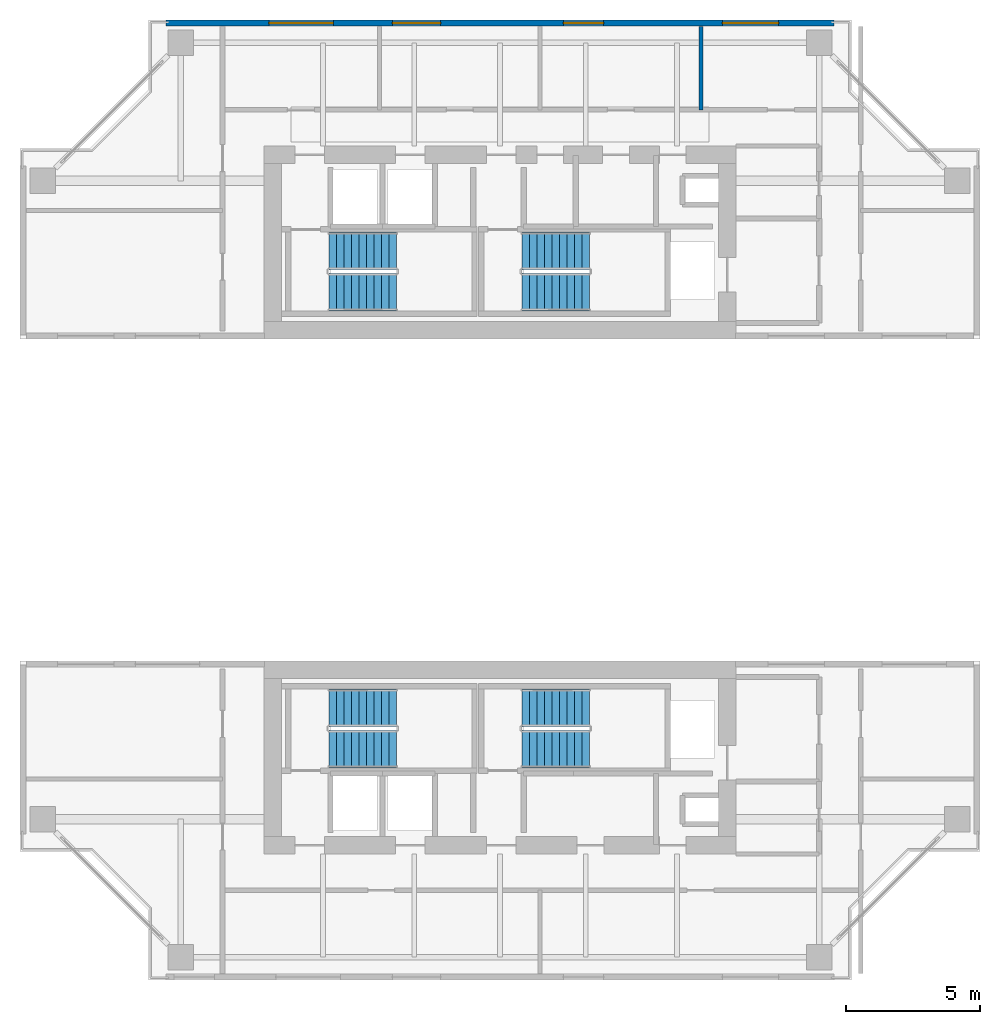
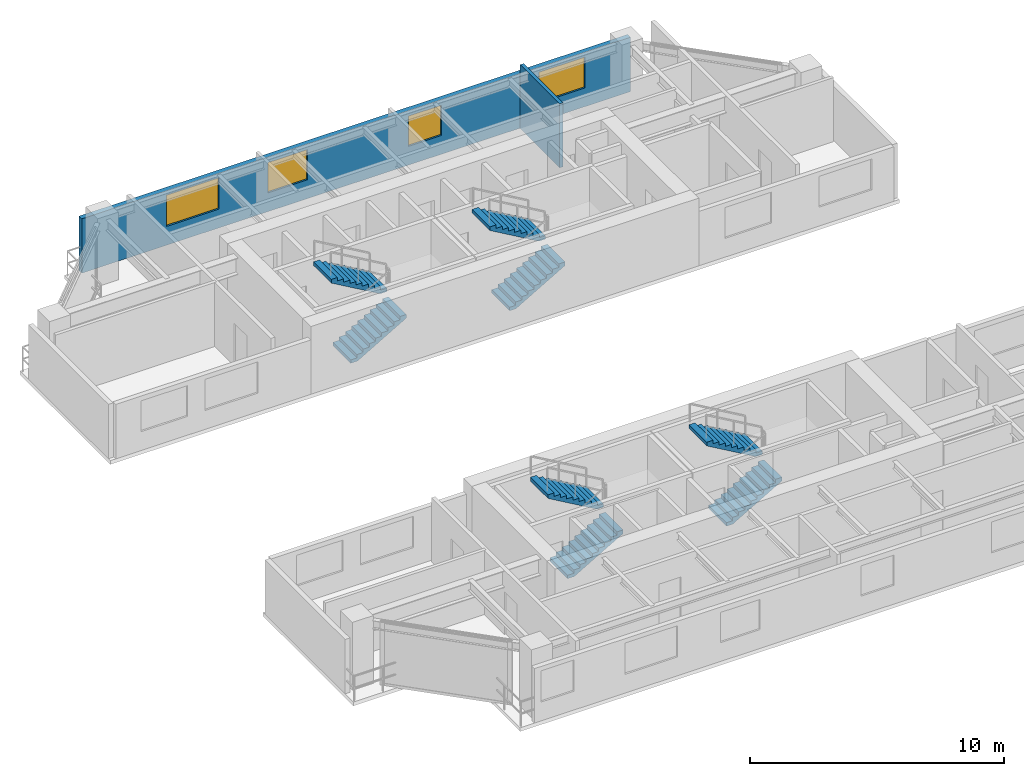
# One storey, part 10 of 12: 8 stair flights, 4 windows, 2 walls, 4 openings, 4 elements without a shape of their own.
"""IFC4 building model written with IfcOpenShell, lengths in metres."""

from ifc_helpers import new_model, si_unit, direction, frame, frame_2d, origin, place, context, subcontext, project, spatial, polyline, rectangle, outline, extrude, source, transform, mapped, material, layer, layer_set, type_object, element, fill, aggregate, save


model = new_model("IFC4")

# Units and contexts
model_context = context("Model", 3, precision=1e-05, world=origin(), true_north=direction((0.0, 1.0)))
body_context = subcontext(model_context, "Body", "Model", "MODEL_VIEW")
ifc_project = project(units=[si_unit("LENGTHUNIT", "METRE"), si_unit("AREAUNIT", "SQUARE_METRE"), si_unit("VOLUMEUNIT", "CUBIC_METRE"), si_unit("PLANEANGLEUNIT", "RADIAN"), si_unit("MASSUNIT", "GRAM", prefix="KILO"), si_unit("THERMODYNAMICTEMPERATUREUNIT", "KELVIN"), si_unit("POWERUNIT", "WATT")], contexts=[model_context])

# Site, building, storey
site_placement = place(None, origin())
site = spatial("IfcSite", under=ifc_project, at=site_placement, CompositionType="ELEMENT")
building_placement = place(site_placement, origin())
building = spatial("IfcBuilding", under=site, at=building_placement, Name="Qiaomeng Ring Towers", CompositionType="ELEMENT")
storey_placement = place(building_placement, frame((0.0, 0.0, 166.5)))
storey = spatial("IfcBuildingStorey", under=building, at=storey_placement, Name="L48", CompositionType="ELEMENT", Elevation=166.5)

# Wall, openings, windows
ifc_material_1 = material(Name="Precast concrete C40", Category="concrete")
ifc_layer_1 = layer(ifc_material_1, 0.219970703125, Name="Precast concrete C40")
ifc_layer_set_1 = layer_set([ifc_layer_1], Name="Precast concrete C40")
wall_type_1 = type_object("IfcWallType", Name="ARC-WL-EW2", PredefinedType="STANDARD", material=ifc_layer_set_1)
wall_1_placement = place(storey_placement, frame((6.550048828125, 40.7900390625, 0.0), z_axis=(0.0, 0.0, 1.0), x_axis=(1.0, 0.0, 0.0)))
wall_1 = element("IfcWall", 1, at=wall_1_placement, inside=storey, type_object=wall_type_1, Name="L48 Tower 1 N Exterior Wall", PredefinedType="STANDARD", context=body_context, shape_type="SweptSolid", body=[
    extrude(rectangle(XDim=24.89990234375, YDim=0.219970703125, at=frame_2d((12.449951171875, 0.0))), origin(), (0.0, 0.0, 1.0), 2.610107421875),
])
opening_1_placement = place(wall_1_placement, frame((3.83251953125, 0.0, 0.89990234375)))
opening_1 = element("IfcOpeningElement", 2, at=opening_1_placement, cuts=wall_1, Name="Opening WN6", PredefinedType="OPENING", context=body_context, shape_type="SweptSolid", body=[
    extrude(rectangle(XDim=2.39990234375, YDim=1.5, at=frame_2d((1.199951171875, 0.75))), frame((0.0, 0.119873046875, 0.0), z_axis=(0.0, -1.0, 0.0), x_axis=(1.0, 0.0, 0.0)), (0.0, 0.0, 1.0), 0.239990234375),
])
opening_2_placement = place(wall_1_placement, frame((8.43798828125, 0.0, 0.89990234375)))
opening_2 = element("IfcOpeningElement", 3, at=opening_2_placement, cuts=wall_1, Name="Opening WN1", PredefinedType="OPENING", context=body_context, shape_type="SweptSolid", body=[
    extrude(rectangle(XDim=1.800048828125, YDim=1.449951171875, at=frame_2d((0.89990234375, 0.72509765625))), frame((0.0, 0.119873046875, 0.0), z_axis=(0.0, -1.0, 0.0), x_axis=(1.0, 0.0, 0.0)), (0.0, 0.0, 1.0), 0.239990234375),
])
opening_3_placement = place(wall_1_placement, frame((14.81298828125, 0.0, 0.89990234375)))
opening_3 = element("IfcOpeningElement", 4, at=opening_3_placement, cuts=wall_1, Name="Opening WN2", PredefinedType="OPENING", context=body_context, shape_type="SweptSolid", body=[
    extrude(rectangle(XDim=1.5, YDim=1.449951171875, at=frame_2d((0.75, 0.72509765625))), frame((0.0, 0.119873046875, 0.0), z_axis=(0.0, -1.0, 0.0), x_axis=(1.0, 0.0, 0.0)), (0.0, 0.0, 1.0), 0.239990234375),
])
opening_4_placement = place(wall_1_placement, frame((20.738037109375, 0.0, 0.89990234375)))
opening_4 = element("IfcOpeningElement", 5, at=opening_4_placement, cuts=wall_1, Name="Opening WN4", PredefinedType="OPENING", context=body_context, shape_type="SweptSolid", body=[
    extrude(rectangle(XDim=2.10009765625, YDim=1.47998046875, at=frame_2d((1.050048828125, 0.739990234375))), frame((0.0, 0.119873046875, 0.0), z_axis=(0.0, -1.0, 0.0), x_axis=(1.0, 0.0, 0.0)), (0.0, 0.0, 1.0), 0.239990234375),
])
ifc_material_2 = material(Name="Low-E dark-grey laminated double glazing", Category="glass")
window_type_1 = type_object("IfcWindowType", Name="ARC-WN-2", PartitioningType="DOUBLE_PANEL_VERTICAL", PredefinedType="WINDOW", material=ifc_material_2)
shared_shape_1 = source(origin(), body_context, "Body", "SweptSolid", [
    extrude(rectangle(XDim=1.5, YDim=1.449951171875, at=frame_2d((0.75, 0.72509765625))), frame((0.0, 0.030029296875, 0.0), z_axis=(0.0, -1.0, 0.0), x_axis=(1.0, 0.0, 0.0)), (0.0, 0.0, 1.0), 0.06005859375),
])
window_1_placement = place(opening_3_placement, origin())
window_1 = element("IfcWindow", 6, at=window_1_placement, inside=storey, type_object=window_type_1, Name="L48 Exterior Window WN2", OverallHeight=1.449951171875, OverallWidth=1.5, PartitioningType="DOUBLE_PANEL_VERTICAL", PredefinedType="WINDOW", context=body_context, shape_type="MappedRepresentation", body=[
    mapped(shared_shape_1, transform((0.0, 0.0, 0.0), x_axis=(1.0, 0.0, 0.0), y_axis=(0.0, 1.0, 0.0), z_axis=(0.0, 0.0, 1.0), scale=1.0)),
])
fill(opening_3, window_1)
window_type_2 = type_object("IfcWindowType", Name="ARC-WN-4", PartitioningType="TRIPLE_PANEL_VERTICAL", PredefinedType="WINDOW", material=ifc_material_2)
shared_shape_2 = source(origin(), body_context, "Body", "SweptSolid", [
    extrude(rectangle(XDim=2.10009765625, YDim=1.47998046875, at=frame_2d((1.050048828125, 0.739990234375))), frame((0.0, 0.030029296875, 0.0), z_axis=(0.0, -1.0, 0.0), x_axis=(1.0, 0.0, 0.0)), (0.0, 0.0, 1.0), 0.06005859375),
])
window_2_placement = place(opening_4_placement, origin())
window_2 = element("IfcWindow", 7, at=window_2_placement, inside=storey, type_object=window_type_2, Name="L48 Exterior Window WN4", OverallHeight=1.47998046875, OverallWidth=2.10009765625, PartitioningType="TRIPLE_PANEL_VERTICAL", PredefinedType="WINDOW", context=body_context, shape_type="MappedRepresentation", body=[
    mapped(shared_shape_2, transform((0.0, 0.0, 0.0), x_axis=(1.0, 0.0, 0.0), y_axis=(0.0, 1.0, 0.0), z_axis=(0.0, 0.0, 1.0), scale=1.0)),
])
fill(opening_4, window_2)
window_type_3 = type_object("IfcWindowType", Name="ARC-WN-1", PartitioningType="DOUBLE_PANEL_VERTICAL", PredefinedType="WINDOW", material=ifc_material_2)
shared_shape_3 = source(origin(), body_context, "Body", "SweptSolid", [
    extrude(rectangle(XDim=1.800048828125, YDim=1.449951171875, at=frame_2d((0.89990234375, 0.72509765625))), frame((0.0, 0.030029296875, 0.0), z_axis=(0.0, -1.0, 0.0), x_axis=(1.0, 0.0, 0.0)), (0.0, 0.0, 1.0), 0.06005859375),
])
window_3_placement = place(opening_2_placement, origin())
window_3 = element("IfcWindow", 8, at=window_3_placement, inside=storey, type_object=window_type_3, Name="L48 Exterior Window WN1", OverallHeight=1.449951171875, OverallWidth=1.800048828125, PartitioningType="DOUBLE_PANEL_VERTICAL", PredefinedType="WINDOW", context=body_context, shape_type="MappedRepresentation", body=[
    mapped(shared_shape_3, transform((0.0, 0.0, 0.0), x_axis=(1.0, 0.0, 0.0), y_axis=(0.0, 1.0, 0.0), z_axis=(0.0, 0.0, 1.0), scale=1.0)),
])
fill(opening_2, window_3)
window_type_4 = type_object("IfcWindowType", Name="ARC-WN-6", PartitioningType="TRIPLE_PANEL_VERTICAL", PredefinedType="WINDOW", material=ifc_material_2)
shared_shape_4 = source(origin(), body_context, "Body", "SweptSolid", [
    extrude(rectangle(XDim=2.39990234375, YDim=1.5, at=frame_2d((1.199951171875, 0.75))), frame((0.0, 0.030029296875, 0.0), z_axis=(0.0, -1.0, 0.0), x_axis=(1.0, 0.0, 0.0)), (0.0, 0.0, 1.0), 0.06005859375),
])
window_4_placement = place(opening_1_placement, origin())
window_4 = element("IfcWindow", 9, at=window_4_placement, inside=storey, type_object=window_type_4, Name="L48 Exterior Window WN6", OverallHeight=1.5, OverallWidth=2.39990234375, PartitioningType="TRIPLE_PANEL_VERTICAL", PredefinedType="WINDOW", context=body_context, shape_type="MappedRepresentation", body=[
    mapped(shared_shape_4, transform((0.0, 0.0, 0.0), x_axis=(1.0, 0.0, 0.0), y_axis=(0.0, 1.0, 0.0), z_axis=(0.0, 0.0, 1.0), scale=1.0)),
])
fill(opening_1, window_4)

# Wall
ifc_material_3 = material(Name="Gypsum fireboard steel-stud partition", Category="steel")
ifc_layer_2 = layer(ifc_material_3, 0.14990234375, Name="Gypsum fireboard steel-stud partition")
ifc_layer_set_2 = layer_set([ifc_layer_2], Name="Gypsum fireboard steel-stud partition")
wall_type_2 = type_object("IfcWallType", Name="ARC-WL-PW3", PredefinedType="PARTITIONING", material=ifc_layer_set_2)
wall_2_placement = place(storey_placement, frame((26.5, 37.550048828125, 0.0), z_axis=(0.0, 0.0, 1.0), x_axis=(0.0, 1.0, 0.0)))
element("IfcWall", 10, at=wall_2_placement, inside=storey, type_object=wall_type_2, Name="L48 Interior Wall PW3", PredefinedType="PARTITIONING", context=body_context, shape_type="SweptSolid", body=[
    extrude(rectangle(XDim=3.099853515625, YDim=0.14990234375, at=frame_2d((1.5498046875, 0.0))), origin(), (0.0, 0.0, 1.0), 3.070068359375),
])

# Stair, stair flights
stair_type = type_object("IfcStairType", Name="ARC-ST-325", PredefinedType="HALF_TURN_STAIR", material=ifc_material_1)
stair_1_placement = place(storey_placement, origin())
stair_1 = element("IfcStair", 11, at=stair_1_placement, inside=storey, type_object=stair_type, Name="L48 Tower 1 North Stair 1", PredefinedType="HALF_TURN_STAIR")
stair_flight_type = type_object("IfcStairFlightType", Name="ARC-ST-325-FL", PredefinedType="STRAIGHT", material=ifc_material_1)
shared_shape_5 = source(origin(), body_context, "Body", "SweptSolid", [
    extrude(outline(polyline([(0.0, 0.0), (0.0, 0.16259765625), (0.280029296875, 0.16259765625), (0.280029296875, 0.324951171875), (0.56005859375, 0.324951171875), (0.56005859375, 0.487548828125), (0.840087890625, 0.487548828125), (0.840087890625, 0.64990234375), (1.1201171875, 0.64990234375), (1.1201171875, 0.8125), (1.39990234375, 0.8125), (1.39990234375, 0.97509765625), (1.679931640625, 0.97509765625), (1.679931640625, 1.137451171875), (1.9599609375, 1.137451171875), (1.9599609375, 1.300048828125), (2.239990234375, 1.300048828125), (2.239990234375, 1.46240234375), (2.52001953125, 1.46240234375), (2.52001953125, 1.625), (2.52001953125, 1.2890625), (0.298583984375, 0.0), (0.0, 0.0)])), frame((0.0, 0.699951171875, 0.0), z_axis=(0.0, -1.0, 0.0), x_axis=(1.0, 0.0, 0.0)), (0.0, 0.0, 1.0), 1.39990234375),
])
stair_flight_1_placement = place(storey_placement, frame((12.6201171875, 30.75, 0.0), z_axis=(0.0, 0.0, 1.0), x_axis=(1.0, 0.0, 0.0)))
stair_flight_1 = element("IfcStairFlight", 12, at=stair_flight_1_placement, type_object=stair_flight_type, Name="ST1 flight 1", NumberOfRisers=10, NumberOfTreads=9, PredefinedType="STRAIGHT", RiserHeight=0.1625, TreadLength=0.28, context=body_context, shape_type="MappedRepresentation", body=[
    mapped(shared_shape_5, transform((0.0, 0.0, 0.0), x_axis=(1.0, 0.0, 0.0), y_axis=(0.0, 1.0, 0.0), z_axis=(0.0, 0.0, 1.0), scale=1.0)),
])
stair_flight_2_placement = place(storey_placement, frame((15.139892578125, 32.2900390625, 1.625), z_axis=(0.0, 0.0, 1.0), x_axis=(-1.0, 0.0, 0.0)))
stair_flight_2 = element("IfcStairFlight", 13, at=stair_flight_2_placement, type_object=stair_flight_type, Name="ST1 flight 2", NumberOfRisers=10, NumberOfTreads=9, PredefinedType="STRAIGHT", RiserHeight=0.1625, TreadLength=0.28, context=body_context, shape_type="MappedRepresentation", body=[
    mapped(shared_shape_5, transform((0.0, 0.0, 0.0), x_axis=(1.0, 0.0, 0.0), y_axis=(0.0, 1.0, 0.0), z_axis=(0.0, 0.0, 1.0), scale=1.0)),
])
aggregate(stair_1, [stair_flight_1, stair_flight_2])

stair_2_placement = place(storey_placement, origin())
stair_2 = element("IfcStair", 14, at=stair_2_placement, inside=storey, type_object=stair_type, Name="L48 Tower 1 North Stair 2", PredefinedType="HALF_TURN_STAIR")
stair_flight_3_placement = place(storey_placement, frame((19.820068359375, 30.75, 0.0), z_axis=(0.0, 0.0, 1.0), x_axis=(1.0, 0.0, 0.0)))
stair_flight_3 = element("IfcStairFlight", 15, at=stair_flight_3_placement, type_object=stair_flight_type, Name="ST2 flight 1", NumberOfRisers=10, NumberOfTreads=9, PredefinedType="STRAIGHT", RiserHeight=0.1625, TreadLength=0.28, context=body_context, shape_type="MappedRepresentation", body=[
    mapped(shared_shape_5, transform((0.0, 0.0, 0.0), x_axis=(1.0, 0.0, 0.0), y_axis=(0.0, 1.0, 0.0), z_axis=(0.0, 0.0, 1.0), scale=1.0)),
])
stair_flight_4_placement = place(storey_placement, frame((22.340087890625, 32.2900390625, 1.625), z_axis=(0.0, 0.0, 1.0), x_axis=(-1.0, 0.0, 0.0)))
stair_flight_4 = element("IfcStairFlight", 16, at=stair_flight_4_placement, type_object=stair_flight_type, Name="ST2 flight 2", NumberOfRisers=10, NumberOfTreads=9, PredefinedType="STRAIGHT", RiserHeight=0.1625, TreadLength=0.28, context=body_context, shape_type="MappedRepresentation", body=[
    mapped(shared_shape_5, transform((0.0, 0.0, 0.0), x_axis=(1.0, 0.0, 0.0), y_axis=(0.0, 1.0, 0.0), z_axis=(0.0, 0.0, 1.0), scale=1.0)),
])
aggregate(stair_2, [stair_flight_3, stair_flight_4])

stair_3_placement = place(storey_placement, origin())
stair_3 = element("IfcStair", 17, at=stair_3_placement, inside=storey, type_object=stair_type, Name="L48 Tower 1 South Stair 3", PredefinedType="HALF_TURN_STAIR")
stair_flight_5_placement = place(storey_placement, frame((12.6201171875, 13.7099609375, 0.0), z_axis=(0.0, 0.0, 1.0), x_axis=(1.0, 0.0, 0.0)))
stair_flight_5 = element("IfcStairFlight", 18, at=stair_flight_5_placement, type_object=stair_flight_type, Name="ST3 flight 1", NumberOfRisers=10, NumberOfTreads=9, PredefinedType="STRAIGHT", RiserHeight=0.1625, TreadLength=0.28, context=body_context, shape_type="MappedRepresentation", body=[
    mapped(shared_shape_5, transform((0.0, 0.0, 0.0), x_axis=(1.0, 0.0, 0.0), y_axis=(0.0, 1.0, 0.0), z_axis=(0.0, 0.0, 1.0), scale=1.0)),
])
stair_flight_6_placement = place(storey_placement, frame((15.139892578125, 15.25, 1.625), z_axis=(0.0, 0.0, 1.0), x_axis=(-1.0, 0.0, 0.0)))
stair_flight_6 = element("IfcStairFlight", 19, at=stair_flight_6_placement, type_object=stair_flight_type, Name="ST3 flight 2", NumberOfRisers=10, NumberOfTreads=9, PredefinedType="STRAIGHT", RiserHeight=0.1625, TreadLength=0.28, context=body_context, shape_type="MappedRepresentation", body=[
    mapped(shared_shape_5, transform((0.0, 0.0, 0.0), x_axis=(1.0, 0.0, 0.0), y_axis=(0.0, 1.0, 0.0), z_axis=(0.0, 0.0, 1.0), scale=1.0)),
])
aggregate(stair_3, [stair_flight_5, stair_flight_6])

stair_4_placement = place(storey_placement, origin())
stair_4 = element("IfcStair", 20, at=stair_4_placement, inside=storey, type_object=stair_type, Name="L48 Tower 1 South Stair 4", PredefinedType="HALF_TURN_STAIR")
stair_flight_7_placement = place(storey_placement, frame((19.820068359375, 13.7099609375, 0.0), z_axis=(0.0, 0.0, 1.0), x_axis=(1.0, 0.0, 0.0)))
stair_flight_7 = element("IfcStairFlight", 21, at=stair_flight_7_placement, type_object=stair_flight_type, Name="ST4 flight 1", NumberOfRisers=10, NumberOfTreads=9, PredefinedType="STRAIGHT", RiserHeight=0.1625, TreadLength=0.28, context=body_context, shape_type="MappedRepresentation", body=[
    mapped(shared_shape_5, transform((0.0, 0.0, 0.0), x_axis=(1.0, 0.0, 0.0), y_axis=(0.0, 1.0, 0.0), z_axis=(0.0, 0.0, 1.0), scale=1.0)),
])
stair_flight_8_placement = place(storey_placement, frame((22.340087890625, 15.25, 1.625), z_axis=(0.0, 0.0, 1.0), x_axis=(-1.0, 0.0, 0.0)))
stair_flight_8 = element("IfcStairFlight", 22, at=stair_flight_8_placement, type_object=stair_flight_type, Name="ST4 flight 2", NumberOfRisers=10, NumberOfTreads=9, PredefinedType="STRAIGHT", RiserHeight=0.1625, TreadLength=0.28, context=body_context, shape_type="MappedRepresentation", body=[
    mapped(shared_shape_5, transform((0.0, 0.0, 0.0), x_axis=(1.0, 0.0, 0.0), y_axis=(0.0, 1.0, 0.0), z_axis=(0.0, 0.0, 1.0), scale=1.0)),
])
aggregate(stair_4, [stair_flight_7, stair_flight_8])

save(model, "model.ifc")
